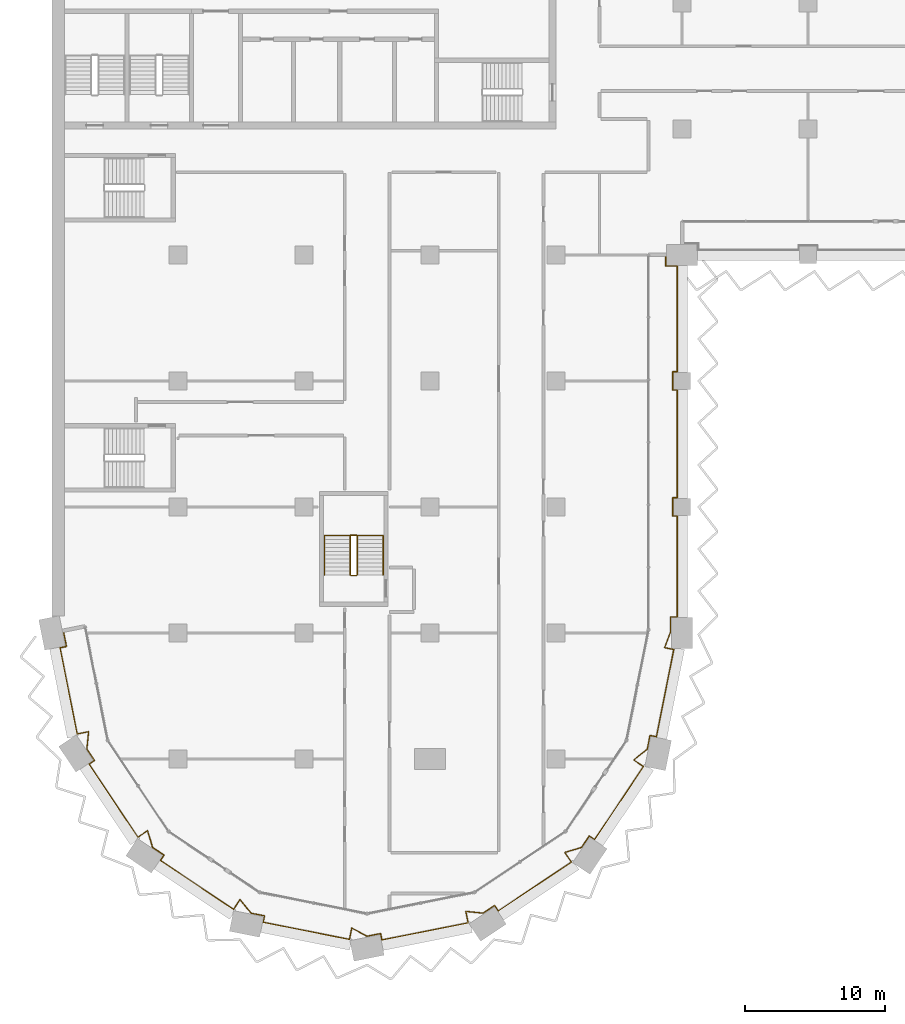
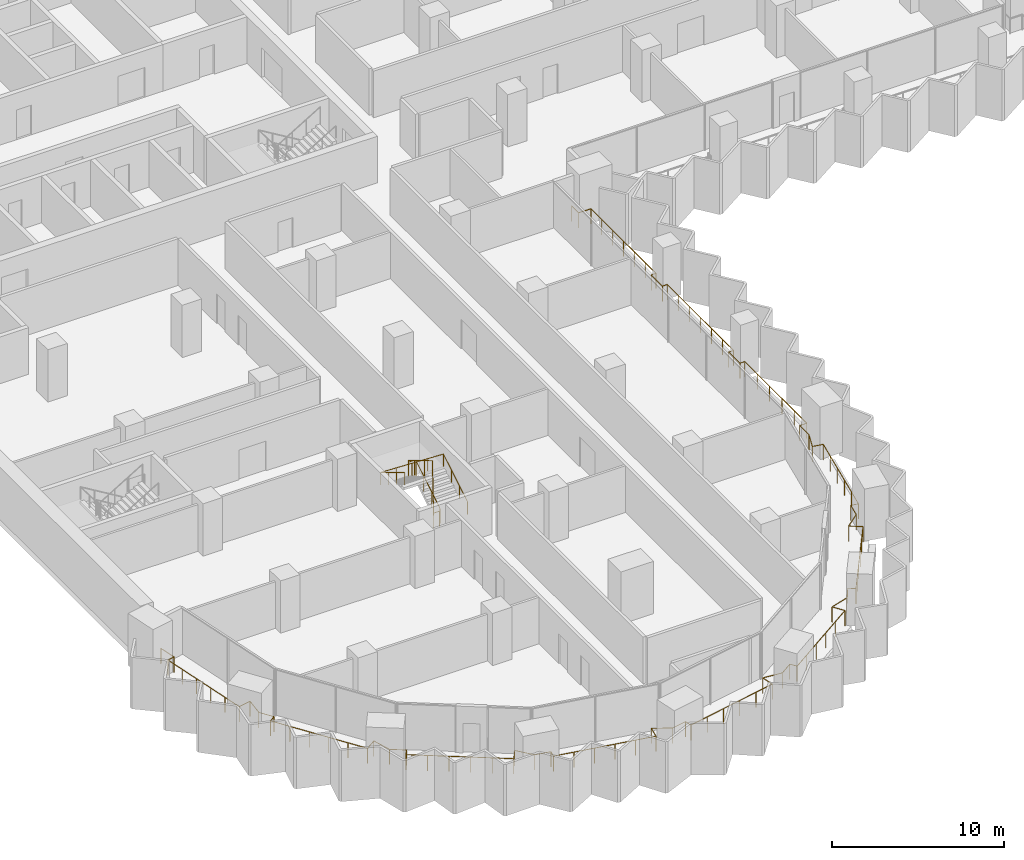
# One storey, part 20 of 23: 3 railings.
"""IFC4 building model written with IfcOpenShell, lengths in metres."""

from ifc_helpers import new_model, si_unit, direction, frame, origin, origin_2d, place, context, subcontext, project, spatial, circle, extrude, material, type_object, element, save


model = new_model("IFC4")

# Units and contexts
model_context = context("Model", 3, precision=1e-05, world=origin(), true_north=direction((0.0, 1.0)))
body_context = subcontext(model_context, "Body", "Model", "MODEL_VIEW")
ifc_project = project(units=[si_unit("LENGTHUNIT", "METRE"), si_unit("AREAUNIT", "SQUARE_METRE"), si_unit("VOLUMEUNIT", "CUBIC_METRE"), si_unit("PLANEANGLEUNIT", "RADIAN"), si_unit("MASSUNIT", "GRAM", prefix="KILO")], contexts=[model_context])

# Site, building, storey
site_placement = place(None, origin())
site = spatial("IfcSite", under=ifc_project, at=site_placement, CompositionType="ELEMENT")
building_placement = place(site_placement, origin())
building = spatial("IfcBuilding", under=site, at=building_placement, Name="Hunhe Ridgeline Campus", CompositionType="ELEMENT")
storey_placement = place(building_placement, frame((0.0, 0.0, 95.89990234375)))
storey = spatial("IfcBuildingStorey", under=building, at=storey_placement, Name="L23", CompositionType="ELEMENT", Elevation=95.89990234375)

# Railings
ifc_material_1 = material(Name="Steel Q355", Category="steel")
railing_type_1 = type_object("IfcRailingType", Name="Loggia guard 1100 Steel Q355", PredefinedType="GUARDRAIL", material=ifc_material_1)
railing_1_placement = place(storey_placement, frame((0.80419921875, 27.159912109375, 0.0)))
element("IfcRailing", 1, at=railing_1_placement, inside=storey, type_object=railing_type_1, Name="Loggia guard 1", PredefinedType="GUARDRAIL", context=body_context, shape_type="SweptSolid", body=[
    extrude(circle(Radius=0.02392578125, at=origin_2d()), frame((0.0, 0.0, 1.076171875), z_axis=(0.195095399255, -0.980784270464, 0.0), x_axis=(0.980784270464, 0.195095399255, 0.0)), (0.0, 0.0, 1.0), 1.150146484375),
    extrude(circle(Radius=0.02392578125, at=origin_2d()), frame((0.224365234375, -1.1279296875, 1.076171875), z_axis=(-0.980839571814, -0.194817181902, 0.0), x_axis=(0.194817181902, -0.980839571814, 0.0)), (0.0, 0.0, 1.0), 0.469970703125),
    extrude(circle(Radius=0.02392578125, at=origin_2d()), frame((-0.236572265625, -1.219482421875, 1.076171875), z_axis=(0.195091122585, -0.98078512116, 0.0), x_axis=(0.98078512116, 0.195091122585, 0.0)), (0.0, 0.0, 1.0), 6.27587890625),
    extrude(circle(Radius=0.02392578125, at=origin_2d()), frame((0.98779296875, -7.374755859375, 1.076171875), z_axis=(0.980805242724, 0.194989937807, 0.0), x_axis=(-0.194989937807, 0.980805242724, 0.0)), (0.0, 0.0, 1.0), 0.833984375),
    extrude(circle(Radius=0.02392578125, at=origin_2d()), frame((1.8056640625, -7.212158203125, 1.076171875), z_axis=(-0.10024174874, -0.994963110778, 0.0), x_axis=(0.994963110778, -0.10024174874, 0.0)), (0.0, 0.0, 1.0), 1.24462890625),
    extrude(circle(Radius=0.02392578125, at=origin_2d()), frame((1.680908203125, -8.450439453125, 1.076171875), z_axis=(0.555613261421, -0.831440860034, 0.0), x_axis=(0.831440860034, 0.555613261421, 0.0)), (0.0, 0.0, 1.0), 0.98681640625),
    extrude(circle(Radius=0.02392578125, at=origin_2d()), frame((2.229248046875, -9.27099609375, 1.076171875), z_axis=(-0.831650496226, -0.55529942565, 0.0), x_axis=(0.55529942565, -0.831650496226, 0.0)), (0.0, 0.0, 1.0), 0.469970703125),
    extrude(circle(Radius=0.02392578125, at=origin_2d()), frame((1.83837890625, -9.531982421875, 1.076171875), z_axis=(0.55555274607, -0.831481296443, 0.0), x_axis=(0.831481296443, 0.55555274607, 0.0)), (0.0, 0.0, 1.0), 6.27587890625),
    extrude(circle(Radius=0.02392578125, at=origin_2d()), frame((5.324951171875, -14.750244140625, 1.076171875), z_axis=(0.831419211319, 0.555645656016, 0.0), x_axis=(-0.555645656016, 0.831419211319, 0.0)), (0.0, 0.0, 1.0), 0.833984375),
    extrude(circle(Radius=0.02392578125, at=origin_2d()), frame((6.018310546875, -14.286865234375, 1.076171875), z_axis=(0.288373576958, -0.957517979002, 0.0), x_axis=(0.957517979002, 0.288373576958, 0.0)), (0.0, 0.0, 1.0), 1.24462890625),
    extrude(circle(Radius=0.02392578125, at=origin_2d()), frame((6.377197265625, -15.478515625, 1.076171875), z_axis=(0.831440860034, -0.555613261421, 0.0), x_axis=(0.555613261421, 0.831440860034, 0.0)), (0.0, 0.0, 1.0), 0.98681640625),
    extrude(circle(Radius=0.02392578125, at=origin_2d()), frame((7.19775390625, -16.02685546875, 1.076171875), z_axis=(-0.555658548717, -0.831410594856, 0.0), x_axis=(0.831410594856, -0.555658548717, 0.0)), (0.0, 0.0, 1.0), 0.47021484375),
    extrude(circle(Radius=0.02392578125, at=origin_2d()), frame((6.9365234375, -16.417724609375, 1.076171875), z_axis=(0.831469289337, -0.555570716372, 0.0), x_axis=(0.555570716372, 0.831469289337, 0.0)), (0.0, 0.0, 1.0), 6.275634765625),
    extrude(circle(Radius=0.02392578125, at=origin_2d()), frame((12.154541015625, -19.904296875, 1.076171875), z_axis=(0.555645656016, 0.831419211319, 0.0), x_axis=(-0.831419211319, 0.555645656016, 0.0)), (0.0, 0.0, 1.0), 0.833984375),
    extrude(circle(Radius=0.02392578125, at=origin_2d()), frame((12.617919921875, -19.2109375, 1.076171875), z_axis=(0.632628709191, -0.774455238414, 0.0), x_axis=(0.774455238414, 0.632628709191, 0.0)), (0.0, 0.0, 1.0), 1.24462890625),
    extrude(circle(Radius=0.02392578125, at=origin_2d()), frame((13.4052734375, -20.1748046875, 1.076171875), z_axis=(0.980770488785, -0.195164669773, 0.0), x_axis=(0.195164669773, 0.980770488785, 0.0)), (0.0, 0.0, 1.0), 0.987060546875),
    extrude(circle(Radius=0.02392578125, at=origin_2d()), frame((14.373291015625, -20.367431640625, 1.076171875), z_axis=(-0.195316901017, -0.980740183829, 0.0), x_axis=(0.980740183829, -0.195316901017, 0.0)), (0.0, 0.0, 1.0), 0.469970703125),
    extrude(circle(Radius=0.02392578125, at=origin_2d()), frame((14.281494140625, -20.828369140625, 1.076171875), z_axis=(0.98078512116, -0.195091122585, 0.0), x_axis=(0.195091122585, 0.98078512116, 0.0)), (0.0, 0.0, 1.0), 6.27587890625),
    extrude(circle(Radius=0.02392578125, at=origin_2d()), frame((20.436767578125, -22.052734375, 1.076171875), z_axis=(0.194989937807, 0.980805242724, 0.0), x_axis=(-0.980805242724, 0.194989937807, 0.0)), (0.0, 0.0, 1.0), 0.833984375),
    extrude(circle(Radius=0.02392578125, at=origin_2d()), frame((20.599365234375, -21.23486328125, 1.076171875), z_axis=(0.880980801229, -0.473152013486, 0.0), x_axis=(0.473152013486, 0.880980801229, 0.0)), (0.0, 0.0, 1.0), 1.24462890625),
    extrude(circle(Radius=0.02392578125, at=origin_2d()), frame((21.69580078125, -21.82373046875, 1.076171875), z_axis=(0.98081780924, 0.194926717196, 0.0), x_axis=(-0.194926717196, 0.98081780924, 0.0)), (0.0, 0.0, 1.0), 0.987060546875),
    extrude(circle(Radius=0.02392578125, at=origin_2d()), frame((22.663818359375, -21.63134765625, 1.076171875), z_axis=(0.194817181902, -0.980839571814, 0.0), x_axis=(0.980839571814, 0.194817181902, 0.0)), (0.0, 0.0, 1.0), 0.469970703125),
    extrude(circle(Radius=0.02392578125, at=origin_2d()), frame((22.75537109375, -22.09228515625, 1.076171875), z_axis=(0.98078512116, 0.195091122585, 0.0), x_axis=(-0.195091122585, 0.98078512116, 0.0)), (0.0, 0.0, 1.0), 6.27587890625),
    extrude(circle(Radius=0.02392578125, at=origin_2d()), frame((28.91064453125, -20.867919921875, 1.076171875), z_axis=(-0.194989937807, 0.980805242724, 0.0), x_axis=(-0.980805242724, -0.194989937807, 0.0)), (0.0, 0.0, 1.0), 0.833984375),
    extrude(circle(Radius=0.02392578125, at=origin_2d()), frame((28.748046875, -20.050048828125, 1.076171875), z_axis=(0.994963110778, -0.10024174874, 0.0), x_axis=(0.10024174874, 0.994963110778, 0.0)), (0.0, 0.0, 1.0), 1.24462890625),
    extrude(circle(Radius=0.02392578125, at=origin_2d()), frame((29.986328125, -20.1748046875, 1.076171875), z_axis=(0.831440860034, 0.555613261421, 0.0), x_axis=(-0.555613261421, 0.831440860034, 0.0)), (0.0, 0.0, 1.0), 0.98681640625),
    extrude(circle(Radius=0.02392578125, at=origin_2d()), frame((30.806884765625, -19.62646484375, 1.076171875), z_axis=(0.55529942565, -0.831650496226, 0.0), x_axis=(0.831650496226, 0.55529942565, 0.0)), (0.0, 0.0, 1.0), 0.469970703125),
    extrude(circle(Radius=0.02392578125, at=origin_2d()), frame((31.06787109375, -20.017333984375, 1.076171875), z_axis=(0.831481296443, 0.55555274607, 0.0), x_axis=(-0.55555274607, 0.831481296443, 0.0)), (0.0, 0.0, 1.0), 6.27587890625),
    extrude(circle(Radius=0.02392578125, at=origin_2d()), frame((36.2861328125, -16.53076171875, 1.076171875), z_axis=(-0.555645656016, 0.831419211319, 0.0), x_axis=(-0.831419211319, -0.555645656016, 0.0)), (0.0, 0.0, 1.0), 0.833984375),
    extrude(circle(Radius=0.02392578125, at=origin_2d()), frame((35.82275390625, -15.83740234375, 1.076171875), z_axis=(0.957517979002, 0.288373576958, 0.0), x_axis=(-0.288373576958, 0.957517979002, 0.0)), (0.0, 0.0, 1.0), 1.24462890625),
    extrude(circle(Radius=0.02392578125, at=origin_2d()), frame((37.014404296875, -15.478515625, 1.076171875), z_axis=(0.555613261421, 0.831440860034, 0.0), x_axis=(-0.831440860034, 0.555613261421, 0.0)), (0.0, 0.0, 1.0), 0.98681640625),
    extrude(circle(Radius=0.02392578125, at=origin_2d()), frame((37.562744140625, -14.657958984375, 1.076171875), z_axis=(0.831410594856, -0.555658548717, 0.0), x_axis=(0.555658548717, 0.831410594856, 0.0)), (0.0, 0.0, 1.0), 0.47021484375),
    extrude(circle(Radius=0.02392578125, at=origin_2d()), frame((37.95361328125, -14.919189453125, 1.076171875), z_axis=(0.555570716372, 0.831469289337, 0.0), x_axis=(-0.831469289337, 0.555570716372, 0.0)), (0.0, 0.0, 1.0), 6.275634765625),
    extrude(circle(Radius=0.02392578125, at=origin_2d()), frame((41.440185546875, -9.701171875, 1.076171875), z_axis=(-0.831419211319, 0.555645656016, 0.0), x_axis=(-0.555645656016, -0.831419211319, 0.0)), (0.0, 0.0, 1.0), 0.833984375),
    extrude(circle(Radius=0.02392578125, at=origin_2d()), frame((40.746826171875, -9.23779296875, 1.076171875), z_axis=(0.774455238414, 0.632628709191, 0.0), x_axis=(-0.632628709191, 0.774455238414, 0.0)), (0.0, 0.0, 1.0), 1.24462890625),
    extrude(circle(Radius=0.02392578125, at=origin_2d()), frame((41.710693359375, -8.450439453125, 1.076171875), z_axis=(0.195164669773, 0.980770488785, 0.0), x_axis=(-0.980770488785, 0.195164669773, 0.0)), (0.0, 0.0, 1.0), 0.987060546875),
    extrude(circle(Radius=0.02392578125, at=origin_2d()), frame((41.9033203125, -7.482421875, 1.076171875), z_axis=(0.980740183829, -0.195316901017, 0.0), x_axis=(0.195316901017, 0.980740183829, 0.0)), (0.0, 0.0, 1.0), 0.469970703125),
    extrude(circle(Radius=0.02392578125, at=origin_2d()), frame((42.3642578125, -7.57421875, 1.076171875), z_axis=(0.195074166836, 0.98078849373, 0.0), x_axis=(-0.98078849373, 0.195074166836, 0.0)), (0.0, 0.0, 1.0), 6.35400390625),
    extrude(circle(Radius=0.02392578125, at=origin_2d()), frame((43.603759765625, -1.34228515625, 1.076171875), z_axis=(-0.980818178173, 0.194924860818, 0.0), x_axis=(-0.194924860818, -0.980818178173, 0.0)), (0.0, 0.0, 1.0), 0.670166015625),
    extrude(circle(Radius=0.02392578125, at=origin_2d()), frame((42.946533203125, -1.211669921875, 1.076171875), z_axis=(0.354368618256, 0.935105813475, 0.0), x_axis=(-0.935105813475, 0.354368618256, 0.0)), (0.0, 0.0, 1.0), 1.211181640625),
    extrude(circle(Radius=0.02392578125, at=origin_2d()), frame((43.375732421875, -0.0791015625, 1.076171875), z_axis=(0.0, 1.0, 0.0), x_axis=(-1.0, 0.0, 0.0)), (0.0, 0.0, 1.0), 1.069091796875),
    extrude(circle(Radius=0.02392578125, at=origin_2d()), frame((43.375732421875, 0.989990234375, 1.076171875), z_axis=(1.0, 0.0, 0.0), x_axis=(0.0, 1.0, 0.0)), (0.0, 0.0, 1.0), 0.469970703125),
    extrude(circle(Radius=0.02392578125, at=origin_2d()), frame((43.845703125, 0.989990234375, 1.076171875), z_axis=(0.0, 1.0, 0.0), x_axis=(-1.0, 0.0, 0.0)), (0.0, 0.0, 1.0), 7.2001953125),
    extrude(circle(Radius=0.02392578125, at=origin_2d()), frame((43.845703125, 8.190185546875, 1.076171875), z_axis=(-1.0, 0.0, 0.0), x_axis=(0.0, -1.0, 0.0)), (0.0, 0.0, 1.0), 0.31982421875),
    extrude(circle(Radius=0.02392578125, at=origin_2d()), frame((43.52587890625, 8.190185546875, 1.076171875), z_axis=(0.0, 1.0, 0.0), x_axis=(-1.0, 0.0, 0.0)), (0.0, 0.0, 1.0), 1.2998046875),
    extrude(circle(Radius=0.02392578125, at=origin_2d()), frame((43.52587890625, 9.489990234375, 1.076171875), z_axis=(1.0, 0.0, 0.0), x_axis=(0.0, 1.0, 0.0)), (0.0, 0.0, 1.0), 0.31982421875),
    extrude(circle(Radius=0.02392578125, at=origin_2d()), frame((43.845703125, 9.489990234375, 1.076171875), z_axis=(0.0, 1.0, 0.0), x_axis=(-1.0, 0.0, 0.0)), (0.0, 0.0, 1.0), 7.7001953125),
    extrude(circle(Radius=0.02392578125, at=origin_2d()), frame((43.845703125, 17.190185546875, 1.076171875), z_axis=(-1.0, 0.0, 0.0), x_axis=(0.0, -1.0, 0.0)), (0.0, 0.0, 1.0), 0.31982421875),
    extrude(circle(Radius=0.02392578125, at=origin_2d()), frame((43.52587890625, 17.190185546875, 1.076171875), z_axis=(0.0, 1.0, 0.0), x_axis=(-1.0, 0.0, 0.0)), (0.0, 0.0, 1.0), 1.2998046875),
    extrude(circle(Radius=0.02392578125, at=origin_2d()), frame((43.52587890625, 18.489990234375, 1.076171875), z_axis=(1.0, 0.0, 0.0), x_axis=(0.0, 1.0, 0.0)), (0.0, 0.0, 1.0), 0.31982421875),
    extrude(circle(Radius=0.02392578125, at=origin_2d()), frame((43.845703125, 18.489990234375, 1.076171875), z_axis=(0.0, 1.0, 0.0), x_axis=(-1.0, 0.0, 0.0)), (0.0, 0.0, 1.0), 7.550048828125),
    extrude(circle(Radius=0.02392578125, at=origin_2d()), frame((43.845703125, 26.0400390625, 1.076171875), z_axis=(-1.0, 0.0, 0.0), x_axis=(0.0, -1.0, 0.0)), (0.0, 0.0, 1.0), 0.81982421875),
    extrude(circle(Radius=0.02392578125, at=origin_2d()), frame((43.02587890625, 26.0400390625, 1.076171875), z_axis=(0.0, 1.0, 0.0), x_axis=(-1.0, 0.0, 0.0)), (0.0, 0.0, 1.0), 0.800048828125),
    extrude(circle(Radius=0.02099609375, at=origin_2d()), origin(), (0.0, 0.0, 1.0), 1.052001953125),
    extrude(circle(Radius=0.02099609375, at=origin_2d()), frame((0.224365234375, -1.1279296875, 0.0)), (0.0, 0.0, 1.0), 1.052001953125),
    extrude(circle(Radius=0.02099609375, at=origin_2d()), frame((-0.236572265625, -1.219482421875, 0.0)), (0.0, 0.0, 1.0), 1.052001953125),
    extrude(circle(Radius=0.02099609375, at=origin_2d()), frame((0.00830078125, -2.450439453125, 0.0)), (0.0, 0.0, 1.0), 1.052001953125),
    extrude(circle(Radius=0.02099609375, at=origin_2d()), frame((0.253173828125, -3.681640625, 0.0)), (0.0, 0.0, 1.0), 1.052001953125),
    extrude(circle(Radius=0.02099609375, at=origin_2d()), frame((0.498046875, -4.91259765625, 0.0)), (0.0, 0.0, 1.0), 1.052001953125),
    extrude(circle(Radius=0.02099609375, at=origin_2d()), frame((0.742919921875, -6.143798828125, 0.0)), (0.0, 0.0, 1.0), 1.052001953125),
    extrude(circle(Radius=0.02099609375, at=origin_2d()), frame((0.98779296875, -7.374755859375, 0.0)), (0.0, 0.0, 1.0), 1.052001953125),
    extrude(circle(Radius=0.02099609375, at=origin_2d()), frame((1.8056640625, -7.212158203125, 0.0)), (0.0, 0.0, 1.0), 1.052001953125),
    extrude(circle(Radius=0.02099609375, at=origin_2d()), frame((1.680908203125, -8.450439453125, 0.0)), (0.0, 0.0, 1.0), 1.052001953125),
    extrude(circle(Radius=0.02099609375, at=origin_2d()), frame((2.229248046875, -9.27099609375, 0.0)), (0.0, 0.0, 1.0), 1.052001953125),
    extrude(circle(Radius=0.02099609375, at=origin_2d()), frame((1.83837890625, -9.531982421875, 0.0)), (0.0, 0.0, 1.0), 1.052001953125),
    extrude(circle(Radius=0.02099609375, at=origin_2d()), frame((2.53564453125, -10.57568359375, 0.0)), (0.0, 0.0, 1.0), 1.052001953125),
    extrude(circle(Radius=0.02099609375, at=origin_2d()), frame((3.23291015625, -11.619384765625, 0.0)), (0.0, 0.0, 1.0), 1.052001953125),
    extrude(circle(Radius=0.02099609375, at=origin_2d()), frame((3.930419921875, -12.662841796875, 0.0)), (0.0, 0.0, 1.0), 1.052001953125),
    extrude(circle(Radius=0.02099609375, at=origin_2d()), frame((4.627685546875, -13.70654296875, 0.0)), (0.0, 0.0, 1.0), 1.052001953125),
    extrude(circle(Radius=0.02099609375, at=origin_2d()), frame((5.324951171875, -14.750244140625, 0.0)), (0.0, 0.0, 1.0), 1.052001953125),
    extrude(circle(Radius=0.02099609375, at=origin_2d()), frame((6.018310546875, -14.286865234375, 0.0)), (0.0, 0.0, 1.0), 1.052001953125),
    extrude(circle(Radius=0.02099609375, at=origin_2d()), frame((6.377197265625, -15.478515625, 0.0)), (0.0, 0.0, 1.0), 1.052001953125),
    extrude(circle(Radius=0.02099609375, at=origin_2d()), frame((7.19775390625, -16.02685546875, 0.0)), (0.0, 0.0, 1.0), 1.052001953125),
    extrude(circle(Radius=0.02099609375, at=origin_2d()), frame((6.9365234375, -16.417724609375, 0.0)), (0.0, 0.0, 1.0), 1.052001953125),
    extrude(circle(Radius=0.02099609375, at=origin_2d()), frame((7.980224609375, -17.114990234375, 0.0)), (0.0, 0.0, 1.0), 1.052001953125),
    extrude(circle(Radius=0.02099609375, at=origin_2d()), frame((9.023681640625, -17.812255859375, 0.0)), (0.0, 0.0, 1.0), 1.052001953125),
    extrude(circle(Radius=0.02099609375, at=origin_2d()), frame((10.0673828125, -18.509765625, 0.0)), (0.0, 0.0, 1.0), 1.052001953125),
    extrude(circle(Radius=0.02099609375, at=origin_2d()), frame((11.11083984375, -19.20703125, 0.0)), (0.0, 0.0, 1.0), 1.052001953125),
    extrude(circle(Radius=0.02099609375, at=origin_2d()), frame((12.154541015625, -19.904296875, 0.0)), (0.0, 0.0, 1.0), 1.052001953125),
    extrude(circle(Radius=0.02099609375, at=origin_2d()), frame((12.617919921875, -19.2109375, 0.0)), (0.0, 0.0, 1.0), 1.052001953125),
    extrude(circle(Radius=0.02099609375, at=origin_2d()), frame((13.4052734375, -20.1748046875, 0.0)), (0.0, 0.0, 1.0), 1.052001953125),
    extrude(circle(Radius=0.02099609375, at=origin_2d()), frame((14.373291015625, -20.367431640625, 0.0)), (0.0, 0.0, 1.0), 1.052001953125),
    extrude(circle(Radius=0.02099609375, at=origin_2d()), frame((14.281494140625, -20.828369140625, 0.0)), (0.0, 0.0, 1.0), 1.052001953125),
    extrude(circle(Radius=0.02099609375, at=origin_2d()), frame((15.512451171875, -21.0732421875, 0.0)), (0.0, 0.0, 1.0), 1.052001953125),
    extrude(circle(Radius=0.02099609375, at=origin_2d()), frame((16.74365234375, -21.318115234375, 0.0)), (0.0, 0.0, 1.0), 1.052001953125),
    extrude(circle(Radius=0.02099609375, at=origin_2d()), frame((17.974609375, -21.56298828125, 0.0)), (0.0, 0.0, 1.0), 1.052001953125),
    extrude(circle(Radius=0.02099609375, at=origin_2d()), frame((19.205810546875, -21.807861328125, 0.0)), (0.0, 0.0, 1.0), 1.052001953125),
    extrude(circle(Radius=0.02099609375, at=origin_2d()), frame((20.436767578125, -22.052734375, 0.0)), (0.0, 0.0, 1.0), 1.052001953125),
    extrude(circle(Radius=0.02099609375, at=origin_2d()), frame((20.599365234375, -21.23486328125, 0.0)), (0.0, 0.0, 1.0), 1.052001953125),
    extrude(circle(Radius=0.02099609375, at=origin_2d()), frame((21.69580078125, -21.82373046875, 0.0)), (0.0, 0.0, 1.0), 1.052001953125),
    extrude(circle(Radius=0.02099609375, at=origin_2d()), frame((22.663818359375, -21.63134765625, 0.0)), (0.0, 0.0, 1.0), 1.052001953125),
    extrude(circle(Radius=0.02099609375, at=origin_2d()), frame((22.75537109375, -22.09228515625, 0.0)), (0.0, 0.0, 1.0), 1.052001953125),
    extrude(circle(Radius=0.02099609375, at=origin_2d()), frame((23.986328125, -21.847412109375, 0.0)), (0.0, 0.0, 1.0), 1.052001953125),
    extrude(circle(Radius=0.02099609375, at=origin_2d()), frame((25.217529296875, -21.6025390625, 0.0)), (0.0, 0.0, 1.0), 1.052001953125),
    extrude(circle(Radius=0.02099609375, at=origin_2d()), frame((26.448486328125, -21.357666015625, 0.0)), (0.0, 0.0, 1.0), 1.052001953125),
    extrude(circle(Radius=0.02099609375, at=origin_2d()), frame((27.6796875, -21.11279296875, 0.0)), (0.0, 0.0, 1.0), 1.052001953125),
    extrude(circle(Radius=0.02099609375, at=origin_2d()), frame((28.91064453125, -20.867919921875, 0.0)), (0.0, 0.0, 1.0), 1.052001953125),
    extrude(circle(Radius=0.02099609375, at=origin_2d()), frame((28.748046875, -20.050048828125, 0.0)), (0.0, 0.0, 1.0), 1.052001953125),
    extrude(circle(Radius=0.02099609375, at=origin_2d()), frame((29.986328125, -20.1748046875, 0.0)), (0.0, 0.0, 1.0), 1.052001953125),
    extrude(circle(Radius=0.02099609375, at=origin_2d()), frame((30.806884765625, -19.62646484375, 0.0)), (0.0, 0.0, 1.0), 1.052001953125),
    extrude(circle(Radius=0.02099609375, at=origin_2d()), frame((31.06787109375, -20.017333984375, 0.0)), (0.0, 0.0, 1.0), 1.052001953125),
    extrude(circle(Radius=0.02099609375, at=origin_2d()), frame((32.111572265625, -19.320068359375, 0.0)), (0.0, 0.0, 1.0), 1.052001953125),
    extrude(circle(Radius=0.02099609375, at=origin_2d()), frame((33.1552734375, -18.622802734375, 0.0)), (0.0, 0.0, 1.0), 1.052001953125),
    extrude(circle(Radius=0.02099609375, at=origin_2d()), frame((34.19873046875, -17.92529296875, 0.0)), (0.0, 0.0, 1.0), 1.052001953125),
    extrude(circle(Radius=0.02099609375, at=origin_2d()), frame((35.242431640625, -17.22802734375, 0.0)), (0.0, 0.0, 1.0), 1.052001953125),
    extrude(circle(Radius=0.02099609375, at=origin_2d()), frame((36.2861328125, -16.53076171875, 0.0)), (0.0, 0.0, 1.0), 1.052001953125),
    extrude(circle(Radius=0.02099609375, at=origin_2d()), frame((35.82275390625, -15.83740234375, 0.0)), (0.0, 0.0, 1.0), 1.052001953125),
    extrude(circle(Radius=0.02099609375, at=origin_2d()), frame((37.014404296875, -15.478515625, 0.0)), (0.0, 0.0, 1.0), 1.052001953125),
    extrude(circle(Radius=0.02099609375, at=origin_2d()), frame((37.562744140625, -14.657958984375, 0.0)), (0.0, 0.0, 1.0), 1.052001953125),
    extrude(circle(Radius=0.02099609375, at=origin_2d()), frame((37.95361328125, -14.919189453125, 0.0)), (0.0, 0.0, 1.0), 1.052001953125),
    extrude(circle(Radius=0.02099609375, at=origin_2d()), frame((38.65087890625, -13.87548828125, 0.0)), (0.0, 0.0, 1.0), 1.052001953125),
    extrude(circle(Radius=0.02099609375, at=origin_2d()), frame((39.34814453125, -12.83203125, 0.0)), (0.0, 0.0, 1.0), 1.052001953125),
    extrude(circle(Radius=0.02099609375, at=origin_2d()), frame((40.045654296875, -11.788330078125, 0.0)), (0.0, 0.0, 1.0), 1.052001953125),
    extrude(circle(Radius=0.02099609375, at=origin_2d()), frame((40.742919921875, -10.744873046875, 0.0)), (0.0, 0.0, 1.0), 1.052001953125),
    extrude(circle(Radius=0.02099609375, at=origin_2d()), frame((41.440185546875, -9.701171875, 0.0)), (0.0, 0.0, 1.0), 1.052001953125),
    extrude(circle(Radius=0.02099609375, at=origin_2d()), frame((40.746826171875, -9.23779296875, 0.0)), (0.0, 0.0, 1.0), 1.052001953125),
    extrude(circle(Radius=0.02099609375, at=origin_2d()), frame((41.710693359375, -8.450439453125, 0.0)), (0.0, 0.0, 1.0), 1.052001953125),
    extrude(circle(Radius=0.02099609375, at=origin_2d()), frame((41.9033203125, -7.482421875, 0.0)), (0.0, 0.0, 1.0), 1.052001953125),
    extrude(circle(Radius=0.02099609375, at=origin_2d()), frame((42.3642578125, -7.57421875, 0.0)), (0.0, 0.0, 1.0), 1.052001953125),
    extrude(circle(Radius=0.02099609375, at=origin_2d()), frame((42.612060546875, -6.327880859375, 0.0)), (0.0, 0.0, 1.0), 1.052001953125),
    extrude(circle(Radius=0.02099609375, at=origin_2d()), frame((42.860107421875, -5.08154296875, 0.0)), (0.0, 0.0, 1.0), 1.052001953125),
    extrude(circle(Radius=0.02099609375, at=origin_2d()), frame((43.10791015625, -3.8349609375, 0.0)), (0.0, 0.0, 1.0), 1.052001953125),
    extrude(circle(Radius=0.02099609375, at=origin_2d()), frame((43.35595703125, -2.588623046875, 0.0)), (0.0, 0.0, 1.0), 1.052001953125),
    extrude(circle(Radius=0.02099609375, at=origin_2d()), frame((43.603759765625, -1.34228515625, 0.0)), (0.0, 0.0, 1.0), 1.052001953125),
    extrude(circle(Radius=0.02099609375, at=origin_2d()), frame((42.946533203125, -1.211669921875, 0.0)), (0.0, 0.0, 1.0), 1.052001953125),
    extrude(circle(Radius=0.02099609375, at=origin_2d()), frame((43.375732421875, -0.0791015625, 0.0)), (0.0, 0.0, 1.0), 1.052001953125),
    extrude(circle(Radius=0.02099609375, at=origin_2d()), frame((43.375732421875, 0.989990234375, 0.0)), (0.0, 0.0, 1.0), 1.052001953125),
    extrude(circle(Radius=0.02099609375, at=origin_2d()), frame((43.845703125, 0.989990234375, 0.0)), (0.0, 0.0, 1.0), 1.052001953125),
    extrude(circle(Radius=0.02099609375, at=origin_2d()), frame((43.845703125, 2.429931640625, 0.0)), (0.0, 0.0, 1.0), 1.052001953125),
    extrude(circle(Radius=0.02099609375, at=origin_2d()), frame((43.845703125, 3.8701171875, 0.0)), (0.0, 0.0, 1.0), 1.052001953125),
    extrude(circle(Radius=0.02099609375, at=origin_2d()), frame((43.845703125, 5.31005859375, 0.0)), (0.0, 0.0, 1.0), 1.052001953125),
    extrude(circle(Radius=0.02099609375, at=origin_2d()), frame((43.845703125, 6.750244140625, 0.0)), (0.0, 0.0, 1.0), 1.052001953125),
    extrude(circle(Radius=0.02099609375, at=origin_2d()), frame((43.845703125, 8.190185546875, 0.0)), (0.0, 0.0, 1.0), 1.052001953125),
    extrude(circle(Radius=0.02099609375, at=origin_2d()), frame((43.52587890625, 8.190185546875, 0.0)), (0.0, 0.0, 1.0), 1.052001953125),
    extrude(circle(Radius=0.02099609375, at=origin_2d()), frame((43.52587890625, 9.489990234375, 0.0)), (0.0, 0.0, 1.0), 1.052001953125),
    extrude(circle(Radius=0.02099609375, at=origin_2d()), frame((43.845703125, 9.489990234375, 0.0)), (0.0, 0.0, 1.0), 1.052001953125),
    extrude(circle(Radius=0.02099609375, at=origin_2d()), frame((43.845703125, 10.7734375, 0.0)), (0.0, 0.0, 1.0), 1.052001953125),
    extrude(circle(Radius=0.02099609375, at=origin_2d()), frame((43.845703125, 12.056640625, 0.0)), (0.0, 0.0, 1.0), 1.052001953125),
    extrude(circle(Radius=0.02099609375, at=origin_2d()), frame((43.845703125, 13.340087890625, 0.0)), (0.0, 0.0, 1.0), 1.052001953125),
    extrude(circle(Radius=0.02099609375, at=origin_2d()), frame((43.845703125, 14.62353515625, 0.0)), (0.0, 0.0, 1.0), 1.052001953125),
    extrude(circle(Radius=0.02099609375, at=origin_2d()), frame((43.845703125, 15.90673828125, 0.0)), (0.0, 0.0, 1.0), 1.052001953125),
    extrude(circle(Radius=0.02099609375, at=origin_2d()), frame((43.845703125, 17.190185546875, 0.0)), (0.0, 0.0, 1.0), 1.052001953125),
    extrude(circle(Radius=0.02099609375, at=origin_2d()), frame((43.52587890625, 17.190185546875, 0.0)), (0.0, 0.0, 1.0), 1.052001953125),
    extrude(circle(Radius=0.02099609375, at=origin_2d()), frame((43.52587890625, 18.489990234375, 0.0)), (0.0, 0.0, 1.0), 1.052001953125),
    extrude(circle(Radius=0.02099609375, at=origin_2d()), frame((43.845703125, 18.489990234375, 0.0)), (0.0, 0.0, 1.0), 1.052001953125),
    extrude(circle(Radius=0.02099609375, at=origin_2d()), frame((43.845703125, 19.748291015625, 0.0)), (0.0, 0.0, 1.0), 1.052001953125),
    extrude(circle(Radius=0.02099609375, at=origin_2d()), frame((43.845703125, 21.006591796875, 0.0)), (0.0, 0.0, 1.0), 1.052001953125),
    extrude(circle(Radius=0.02099609375, at=origin_2d()), frame((43.845703125, 22.26513671875, 0.0)), (0.0, 0.0, 1.0), 1.052001953125),
    extrude(circle(Radius=0.02099609375, at=origin_2d()), frame((43.845703125, 23.5234375, 0.0)), (0.0, 0.0, 1.0), 1.052001953125),
    extrude(circle(Radius=0.02099609375, at=origin_2d()), frame((43.845703125, 24.78173828125, 0.0)), (0.0, 0.0, 1.0), 1.052001953125),
    extrude(circle(Radius=0.02099609375, at=origin_2d()), frame((43.845703125, 26.0400390625, 0.0)), (0.0, 0.0, 1.0), 1.052001953125),
    extrude(circle(Radius=0.02099609375, at=origin_2d()), frame((43.02587890625, 26.0400390625, 0.0)), (0.0, 0.0, 1.0), 1.052001953125),
    extrude(circle(Radius=0.02099609375, at=origin_2d()), frame((43.02587890625, 26.840087890625, 0.0)), (0.0, 0.0, 1.0), 1.052001953125),
])
ifc_material_2 = material(Name="Stainless steel balustrade", Category="steel")
railing_type_2 = type_object("IfcRailingType", Name="Stair guard 1100 stainless", PredefinedType="GUARDRAIL", material=ifc_material_2)
railing_2_placement = place(storey_placement, frame((21.800048828125, 31.14990234375, 0.168212890625)))
element("IfcRailing", 2, at=railing_2_placement, inside=storey, type_object=railing_type_2, Name="L23 stair W3 guard", PredefinedType="GUARDRAIL", context=body_context, shape_type="SweptSolid", body=[
    extrude(circle(Radius=0.02392578125, at=origin_2d()), frame((0.0, 0.0, 1.076171875), z_axis=(0.0, 0.857242210791, 0.514913383045), x_axis=(-1.0, 0.0, 0.0)), (0.0, 0.0, 1.0), 3.266357421875),
    extrude(circle(Radius=0.02392578125, at=origin_2d()), frame((0.0, 2.800048828125, 2.7578125), z_axis=(-0.707106781187, 0.707106781187, 0.0), x_axis=(-0.707106781187, -0.707106781187, 0.0)), (0.0, 0.0, 1.0), 0.07080078125),
    extrude(circle(Radius=0.02392578125, at=origin_2d()), frame((-0.050048828125, 2.85009765625, 2.7578125), z_axis=(-1.0, 0.0, 0.0), x_axis=(0.0, -1.0, 0.0)), (0.0, 0.0, 1.0), 0.39990234375),
    extrude(circle(Radius=0.02392578125, at=origin_2d()), frame((-0.449951171875, 2.85009765625, 2.7578125), z_axis=(-0.274243871929, -0.274243871929, 0.92172696468), x_axis=(0.707106781187, -0.707106781187, 0.0)), (0.0, 0.0, 1.0), 0.1826171875),
    extrude(circle(Radius=0.02392578125, at=origin_2d()), frame((-0.5, 2.800048828125, 2.92626953125), z_axis=(0.0, -0.857242210791, 0.514913383045), x_axis=(1.0, 0.0, 0.0)), (0.0, 0.0, 1.0), 3.266357421875),
    extrude(circle(Radius=0.02392578125, at=origin_2d()), frame((-0.5, 0.0, 4.60791015625), z_axis=(0.013523534403, -0.013457565943, -0.999817987404), x_axis=(0.705375805398, 0.708833529934, 0.0)), (0.0, 0.0, 1.0), 3.700927734375),
    extrude(circle(Radius=0.02392578125, at=origin_2d()), frame((-0.449951171875, -0.0498046875, 0.90771484375), z_axis=(1.0, 0.0, 0.0), x_axis=(0.0, 1.0, 0.0)), (0.0, 0.0, 1.0), 0.39990234375),
    extrude(circle(Radius=0.02099609375, at=origin_2d()), origin(), (0.0, 0.0, 1.0), 1.052001953125),
    extrude(circle(Radius=0.02099609375, at=origin_2d()), frame((0.0, 0.933349609375, 0.560546875)), (0.0, 0.0, 1.0), 1.052001953125),
    extrude(circle(Radius=0.02099609375, at=origin_2d()), frame((0.0, 1.86669921875, 1.121337890625)), (0.0, 0.0, 1.0), 1.052001953125),
    extrude(circle(Radius=0.02099609375, at=origin_2d()), frame((0.0, 2.800048828125, 1.681884765625)), (0.0, 0.0, 1.0), 1.052001953125),
    extrude(circle(Radius=0.02099609375, at=origin_2d()), frame((-0.050048828125, 2.85009765625, 1.681884765625)), (0.0, 0.0, 1.0), 1.052001953125),
    extrude(circle(Radius=0.02099609375, at=origin_2d()), frame((-0.449951171875, 2.85009765625, 1.681884765625)), (0.0, 0.0, 1.0), 1.052001953125),
    extrude(circle(Radius=0.02099609375, at=origin_2d()), frame((-0.5, 2.800048828125, 1.85009765625)), (0.0, 0.0, 1.0), 1.052001953125),
    extrude(circle(Radius=0.02099609375, at=origin_2d()), frame((-0.5, 1.86669921875, 2.41064453125)), (0.0, 0.0, 1.0), 1.052001953125),
    extrude(circle(Radius=0.02099609375, at=origin_2d()), frame((-0.5, 0.933349609375, 2.971435546875)), (0.0, 0.0, 1.0), 1.052001953125),
    extrude(circle(Radius=0.02099609375, at=origin_2d()), frame((-0.5, 0.0, 3.531982421875)), (0.0, 0.0, 1.0), 1.052001953125),
    extrude(circle(Radius=0.02099609375, at=origin_2d()), frame((-0.487548828125, -0.012451171875, 2.60693359375)), (0.0, 0.0, 1.0), 1.052001953125),
    extrude(circle(Radius=0.02099609375, at=origin_2d()), frame((-0.47509765625, -0.02490234375, 1.681884765625)), (0.0, 0.0, 1.0), 1.052001953125),
    extrude(circle(Radius=0.02099609375, at=origin_2d()), frame((-0.46240234375, -0.037353515625, 0.7568359375)), (0.0, 0.0, 1.0), 1.052001953125),
    extrude(circle(Radius=0.02099609375, at=origin_2d()), frame((-0.449951171875, -0.0498046875, -0.168212890625)), (0.0, 0.0, 1.0), 1.052001953125),
    extrude(circle(Radius=0.02099609375, at=origin_2d()), frame((-0.050048828125, -0.0498046875, -0.168212890625)), (0.0, 0.0, 1.0), 1.052001953125),
])
ifc_material_3 = material(Name="Stainless steel handrail", Category="steel")
railing_type_3 = type_object("IfcRailingType", Name="Stair handrail 900 stainless", PredefinedType="HANDRAIL", material=ifc_material_3)
railing_3_placement = place(storey_placement, frame((23.64990234375, 31.14990234375, 0.168212890625)))
element("IfcRailing", 3, at=railing_3_placement, inside=storey, type_object=railing_type_3, Name="L23 stair W3 handrail", PredefinedType="HANDRAIL", context=body_context, shape_type="SweptSolid", body=[
    extrude(circle(Radius=0.02392578125, at=origin_2d()), frame((0.0, 0.0, 0.8759765625), z_axis=(0.0, 0.857242210791, 0.514913383045), x_axis=(-1.0, 0.0, 0.0)), (0.0, 0.0, 1.0), 3.266357421875),
    extrude(circle(Radius=0.02392578125, at=origin_2d()), frame((0.0, 2.800048828125, 2.5576171875), z_axis=(-0.999198916169, 0.0, 0.040019069537), x_axis=(0.0, -1.0, 0.0)), (0.0, 0.0, 1.0), 4.203369140625),
    extrude(circle(Radius=0.02392578125, at=origin_2d()), frame((-4.199951171875, 2.800048828125, 2.72607421875), z_axis=(0.0, -0.857242210791, 0.514913383045), x_axis=(1.0, 0.0, 0.0)), (0.0, 0.0, 1.0), 3.266357421875),
    extrude(circle(Radius=0.02099609375, at=origin_2d()), origin(), (0.0, 0.0, 1.0), 0.851806640625),
    extrude(circle(Radius=0.02099609375, at=origin_2d()), frame((0.0, 0.933349609375, 0.560546875)), (0.0, 0.0, 1.0), 0.851806640625),
    extrude(circle(Radius=0.02099609375, at=origin_2d()), frame((0.0, 1.86669921875, 1.121337890625)), (0.0, 0.0, 1.0), 0.851806640625),
    extrude(circle(Radius=0.02099609375, at=origin_2d()), frame((0.0, 2.800048828125, 1.681884765625)), (0.0, 0.0, 1.0), 0.851806640625),
    extrude(circle(Radius=0.02099609375, at=origin_2d()), frame((-1.050048828125, 2.800048828125, 1.723876953125)), (0.0, 0.0, 1.0), 0.851806640625),
    extrude(circle(Radius=0.02099609375, at=origin_2d()), frame((-2.10009765625, 2.800048828125, 1.76611328125)), (0.0, 0.0, 1.0), 0.851806640625),
    extrude(circle(Radius=0.02099609375, at=origin_2d()), frame((-3.14990234375, 2.800048828125, 1.80810546875)), (0.0, 0.0, 1.0), 0.851806640625),
    extrude(circle(Radius=0.02099609375, at=origin_2d()), frame((-4.199951171875, 2.800048828125, 1.85009765625)), (0.0, 0.0, 1.0), 0.851806640625),
    extrude(circle(Radius=0.02099609375, at=origin_2d()), frame((-4.199951171875, 1.86669921875, 2.41064453125)), (0.0, 0.0, 1.0), 0.851806640625),
    extrude(circle(Radius=0.02099609375, at=origin_2d()), frame((-4.199951171875, 0.933349609375, 2.971435546875)), (0.0, 0.0, 1.0), 0.851806640625),
    extrude(circle(Radius=0.02099609375, at=origin_2d()), frame((-4.199951171875, 0.0, 3.531982421875)), (0.0, 0.0, 1.0), 0.851806640625),
])

save(model, "model.ifc")
